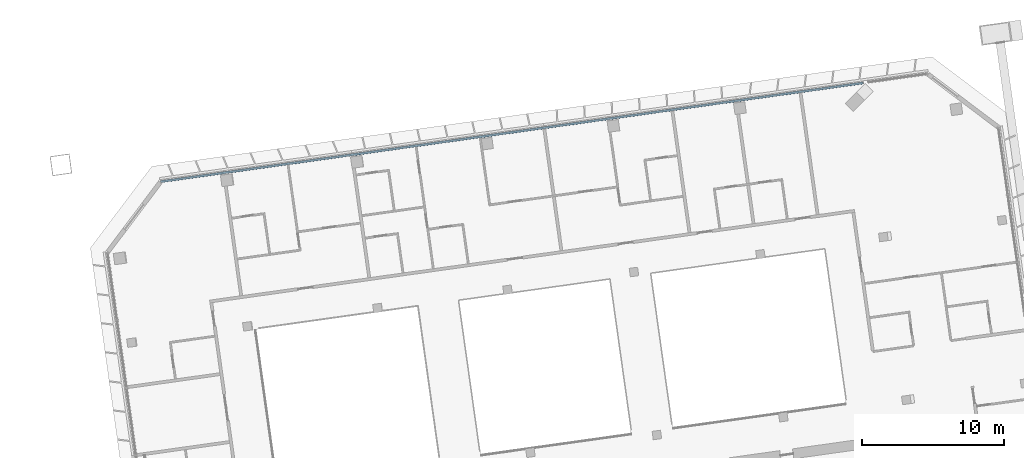
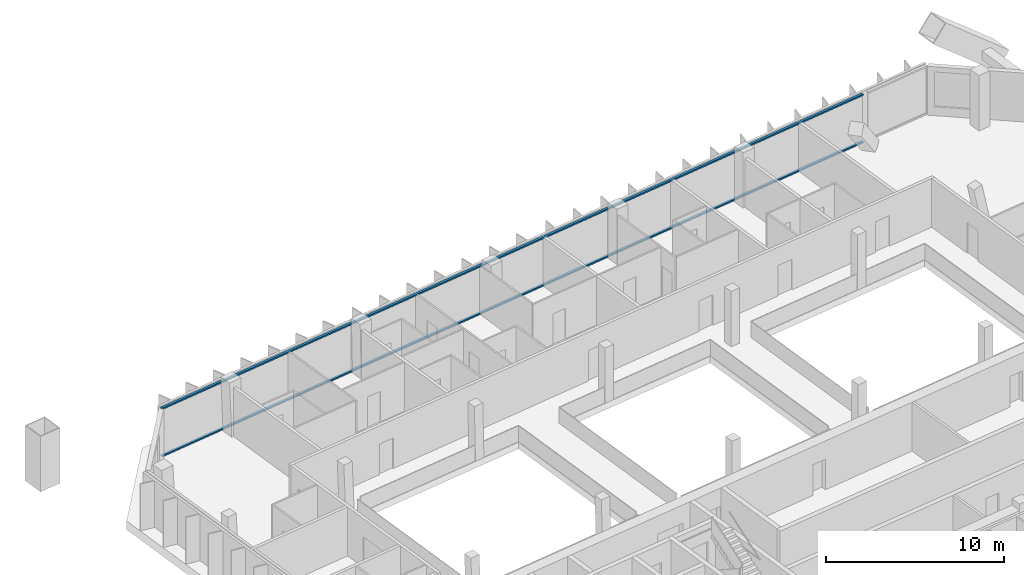
# One storey, part 14 of 32: 2 members, 1 element without a shape of its own.
"""IFC4 building model written with IfcOpenShell, lengths in metres."""

from ifc_helpers import new_model, si_unit, direction, frame, origin, origin_2d, place, context, subcontext, project, spatial, rectangle, extrude, material, material_profile, profile_set, type_object, element, aggregate, save


model = new_model("IFC4")

# Units and contexts
model_context = context("Model", 3, precision=1e-05, world=origin(), true_north=direction((0.0, 1.0)))
body_context = subcontext(model_context, "Body", "Model", "MODEL_VIEW")
ifc_project = project(units=[si_unit("LENGTHUNIT", "METRE"), si_unit("AREAUNIT", "SQUARE_METRE"), si_unit("VOLUMEUNIT", "CUBIC_METRE"), si_unit("PLANEANGLEUNIT", "RADIAN"), si_unit("MASSUNIT", "GRAM", prefix="KILO")], contexts=[model_context])

# Site, building, storey
site_placement = place(None, origin())
site = spatial("IfcSite", under=ifc_project, at=site_placement, CompositionType="ELEMENT")
building_placement = place(site_placement, origin())
building = spatial("IfcBuilding", under=site, at=building_placement, Name="Mirante Cascada Hotel Towers", CompositionType="ELEMENT")
storey_placement = place(building_placement, frame((0.0, 0.0, 176.4)))
storey = spatial("IfcBuildingStorey", under=building, at=storey_placement, Name="L41", CompositionType="ELEMENT", Elevation=176.4)

# Curtain wall, members
ifc_material_1 = material(Name="Aluminium mullion and transom frame with clear laminated glass", Category="aluminium")
curtain_wall_type = type_object("IfcCurtainWallType", Name="Ribbon curtain wall ECW1", PredefinedType="NOTDEFINED", material=ifc_material_1)
curtain_wall_placement = place(storey_placement, origin())
curtain_wall = element("IfcCurtainWall", 1, at=curtain_wall_placement, inside=storey, type_object=curtain_wall_type, Name="Front ribbon wall T2 L41", PredefinedType="NOTDEFINED")
ifc_material_2 = material(Name="Anodised aluminium extrusion", Category="aluminium")
ifc_material_profile = material_profile(ifc_material_2, rectangle(XDim=0.16, YDim=0.1, at=origin_2d()), Name="ECW1 TRANSOM 100x160")
ifc_profile_set = profile_set([ifc_material_profile], Name="Anodised aluminium extrusion")
member_type = type_object("IfcMemberType", Name="ECW1 transom 100x160", PredefinedType="USERDEFINED", material=ifc_profile_set)
member_1_placement = place(storey_placement, frame((80.7134, 24.1626, 0.05), z_axis=(-0.9902678, -0.1391747, 0.0), x_axis=(0.1391747, -0.9902678, 0.0)))
member_1 = element("IfcMember", 2, at=member_1_placement, type_object=member_type, Name="ECW1 sill transom", ObjectType="TRANSOM", PredefinedType="USERDEFINED", context=body_context, shape_type="SweptSolid", body=[
    extrude(rectangle(XDim=0.16, YDim=0.1, at=origin_2d()), origin(), (0.0, 0.0, 1.0), 50.0091),
])
member_2_placement = place(storey_placement, frame((80.7134, 24.1626, 3.3), z_axis=(-0.9902678, -0.1391747, 0.0), x_axis=(0.1391747, -0.9902678, 0.0)))
member_2 = element("IfcMember", 3, at=member_2_placement, type_object=member_type, Name="ECW1 head transom", ObjectType="TRANSOM", PredefinedType="USERDEFINED", context=body_context, shape_type="SweptSolid", body=[
    extrude(rectangle(XDim=0.16, YDim=0.1, at=origin_2d()), origin(), (0.0, 0.0, 1.0), 50.0091),
])
aggregate(curtain_wall, [member_1, member_2])

save(model, "model.ifc")
